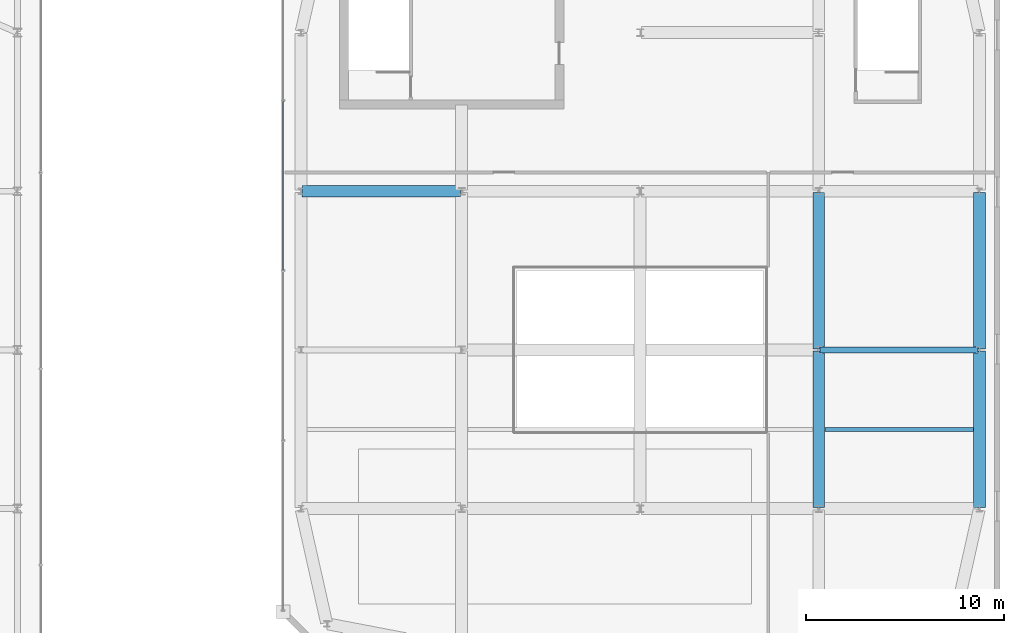
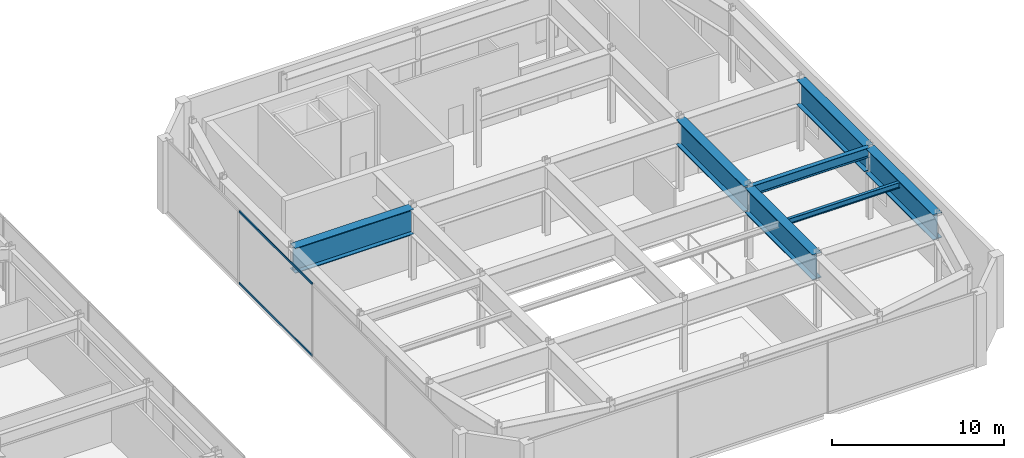
# One storey, part 39 of 53: 7 beams, 2 members, 1 element without a shape of its own.
"""IFC4 building model written with IfcOpenShell, lengths in metres."""

from ifc_helpers import new_model, si_unit, direction, frame, origin, origin_2d, place, context, subcontext, project, spatial, hollow_rectangle, i_section, extrude, material, material_profile, profile_set, type_object, element, aggregate, save


model = new_model("IFC4")

# Units and contexts
model_context = context("Model", 3, precision=1e-05, world=origin(), true_north=direction((0.0, 1.0)))
body_context = subcontext(model_context, "Body", "Model", "MODEL_VIEW")
ifc_project = project(units=[si_unit("LENGTHUNIT", "METRE"), si_unit("AREAUNIT", "SQUARE_METRE"), si_unit("VOLUMEUNIT", "CUBIC_METRE"), si_unit("PLANEANGLEUNIT", "RADIAN"), si_unit("MASSUNIT", "GRAM", prefix="KILO")], contexts=[model_context])

# Site, building, storey
site_placement = place(None, origin())
site = spatial("IfcSite", under=ifc_project, at=site_placement, CompositionType="ELEMENT")
building_placement = place(site_placement, origin())
building = spatial("IfcBuilding", under=site, at=building_placement, Name="Saevonmaru Cultural Tower", CompositionType="ELEMENT")
storey_placement = place(building_placement, frame((0.0, 0.0, 22.199951171875)))
storey = spatial("IfcBuildingStorey", under=building, at=storey_placement, Name="L04", CompositionType="ELEMENT", Elevation=22.199951171875)

# Beams
ifc_material_1 = material(Name="Steel SM355", Category="steel")
ifc_material_profile_1 = material_profile(ifc_material_1, i_section(OverallWidth=0.300048828125, OverallDepth=0.699951171875, WebThickness=0.012939453125, FlangeThickness=0.02392578125, FilletRadius=0.02587890625, at=origin_2d()), Name="H-700x300x13x24")
ifc_profile_set_1 = profile_set([ifc_material_profile_1], Name="Steel SM355")
beam_type_1 = type_object("IfcBeamType", Name="BM-G-H700", PredefinedType="BEAM", material=ifc_profile_set_1)
beam_1_placement = place(storey_placement, frame((99.260009765625, 24.0, 4.75), z_axis=(1.0, 0.0, 0.0), x_axis=(0.0, 1.0, 0.0)))
element("IfcBeam", 1, at=beam_1_placement, inside=storey, type_object=beam_type_1, Name="BM-LIB-EW-3-4-L04", PredefinedType="BEAM", context=body_context, shape_type="SweptSolid", body=[
    extrude(i_section(OverallWidth=0.300048828125, OverallDepth=0.699951171875, WebThickness=0.012939453125, FlangeThickness=0.02392578125, FilletRadius=0.02587890625, at=origin_2d()), origin(), (0.0, 0.0, 1.0), 7.97998046875),
])
ifc_material_profile_2 = material_profile(ifc_material_1, i_section(OverallWidth=0.199951171875, OverallDepth=0.39990234375, WebThickness=0.008056640625, FlangeThickness=0.012939453125, FilletRadius=0.01611328125, at=origin_2d()), Name="H-400x200x8x13")
ifc_profile_set_2 = profile_set([ifc_material_profile_2], Name="Steel SM355")
beam_type_2 = type_object("IfcBeamType", Name="BM-J-H400", PredefinedType="JOIST", material=ifc_profile_set_2)
beam_2_placement = place(storey_placement, frame((99.508056640625, 20.0, 4.900146484375), z_axis=(1.0, 0.0, 0.0), x_axis=(0.0, 1.0, 0.0)))
element("IfcBeam", 2, at=beam_2_placement, inside=storey, type_object=beam_type_2, Name="L04 Library Joist J-2-4", PredefinedType="JOIST", context=body_context, shape_type="SweptSolid", body=[
    extrude(i_section(OverallWidth=0.199951171875, OverallDepth=0.39990234375, WebThickness=0.008056640625, FlangeThickness=0.012939453125, FilletRadius=0.01611328125, at=origin_2d()), origin(), (0.0, 0.0, 1.0), 7.48388671875),
])
ifc_material_2 = material(Name="Steel HSA600 (600 MPa)", Category="steel")
ifc_material_profile_3 = material_profile(ifc_material_2, i_section(OverallWidth=0.60009765625, OverallDepth=1.800048828125, WebThickness=0.028076171875, FlangeThickness=0.054931640625, at=origin_2d()), Name="PG-1800x600x28x55")
ifc_profile_set_3 = profile_set([ifc_material_profile_3], Name="Steel HSA600 (600 MPa)")
beam_type_3 = type_object("IfcBeamType", Name="BM-TG-PG1800", PredefinedType="BEAM", material=ifc_profile_set_3)
beam_3_placement = place(storey_placement, frame((73.159912109375, 32.0, 4.199951171875), z_axis=(1.0, 0.0, 0.0), x_axis=(0.0, 1.0, 0.0)))
element("IfcBeam", 3, at=beam_3_placement, inside=storey, type_object=beam_type_3, Name="L04 Library Girder EW-4-1", PredefinedType="BEAM", context=body_context, shape_type="SweptSolid", body=[
    extrude(i_section(OverallWidth=0.60009765625, OverallDepth=1.800048828125, WebThickness=0.028076171875, FlangeThickness=0.054931640625, at=origin_2d()), origin(), (0.0, 0.0, 1.0), 7.97998046875),
])
for number, where, z_axis, x_axis, name in (
    (4, (99.199951171875, 16.06005859375, 4.199951171875), (0.0, 1.0, 0.0), (-1.0, 0.0, 0.0), "L04 Library Girder NS-4-2"),
    (5, (99.199951171875, 24.06005859375, 4.199951171875), (0.0, 1.0, 0.0), (-1.0, 0.0, 0.0), "L04 Library Girder NS-4-3"),
    (6, (107.300048828125, 16.06005859375, 4.199951171875), (0.0, 1.0, 0.0), (-1.0, 0.0, 0.0), "L04 Library Girder NS-5-2"),
    (7, (107.300048828125, 24.06005859375, 4.199951171875), (0.0, 1.0, 0.0), (-1.0, 0.0, 0.0), "L04 Library Girder NS-5-3"),
):
    element("IfcBeam", number, at=place(storey_placement, frame(where, z_axis=z_axis, x_axis=x_axis)), inside=storey, type_object=beam_type_3, Name=name, PredefinedType="BEAM", context=body_context, shape_type="SweptSolid", body=[
        extrude(i_section(OverallWidth=0.60009765625, OverallDepth=1.800048828125, WebThickness=0.028076171875, FlangeThickness=0.054931640625, at=origin_2d()), origin(), (0.0, 0.0, 1.0), 7.8798828125),
    ])

# Curtain wall, members
ifc_material_3 = material(Name="Satin Bronze Anodised Aluminium", Category="aluminium")
curtain_wall_type = type_object("IfcCurtainWallType", Name="CW-LIB-GLZ", PredefinedType="NOTDEFINED", material=ifc_material_3)
curtain_wall_placement = place(storey_placement, origin())
curtain_wall = element("IfcCurtainWall", 8, at=curtain_wall_placement, inside=storey, type_object=curtain_wall_type, Name="L04 Central Library Reading Hall Curtain Wall 8", PredefinedType="NOTDEFINED")
ifc_material_profile_4 = material_profile(ifc_material_3, hollow_rectangle(XDim=0.06494140625, YDim=0.14990234375, WallThickness=0.00390625, at=origin_2d()), Name="ALU-TRAN-150x65x4")
ifc_profile_set_4 = profile_set([ifc_material_profile_4], Name="Satin Bronze Anodised Aluminium")
member_type = type_object("IfcMemberType", Name="TR-CW-150x65", PredefinedType="USERDEFINED", material=ifc_profile_set_4)
member_1_placement = place(storey_placement, frame((72.199951171875, 36.53759765625, 0.032470703125), z_axis=(0.0, -1.0, 0.0), x_axis=(1.0, 0.0, 0.0)))
member_1 = element("IfcMember", 9, at=member_1_placement, type_object=member_type, Name="CW-LIB-8-L04 transom 2.1", ObjectType="TRANSOM", PredefinedType="USERDEFINED", context=body_context, shape_type="SweptSolid", body=[
    extrude(hollow_rectangle(XDim=0.06494140625, YDim=0.14990234375, WallThickness=0.00390625, at=origin_2d()), origin(), (0.0, 0.0, 1.0), 8.505126953125),
])
member_2_placement = place(storey_placement, frame((72.199951171875, 36.53759765625, 5.117431640625), z_axis=(0.0, -1.0, 0.0), x_axis=(1.0, 0.0, 0.0)))
member_2 = element("IfcMember", 10, at=member_2_placement, type_object=member_type, Name="CW-LIB-8-L04 transom 2.2", ObjectType="TRANSOM", PredefinedType="USERDEFINED", context=body_context, shape_type="SweptSolid", body=[
    extrude(hollow_rectangle(XDim=0.06494140625, YDim=0.14990234375, WallThickness=0.00390625, at=origin_2d()), origin(), (0.0, 0.0, 1.0), 8.505126953125),
])
aggregate(curtain_wall, [member_1, member_2])

save(model, "model.ifc")
